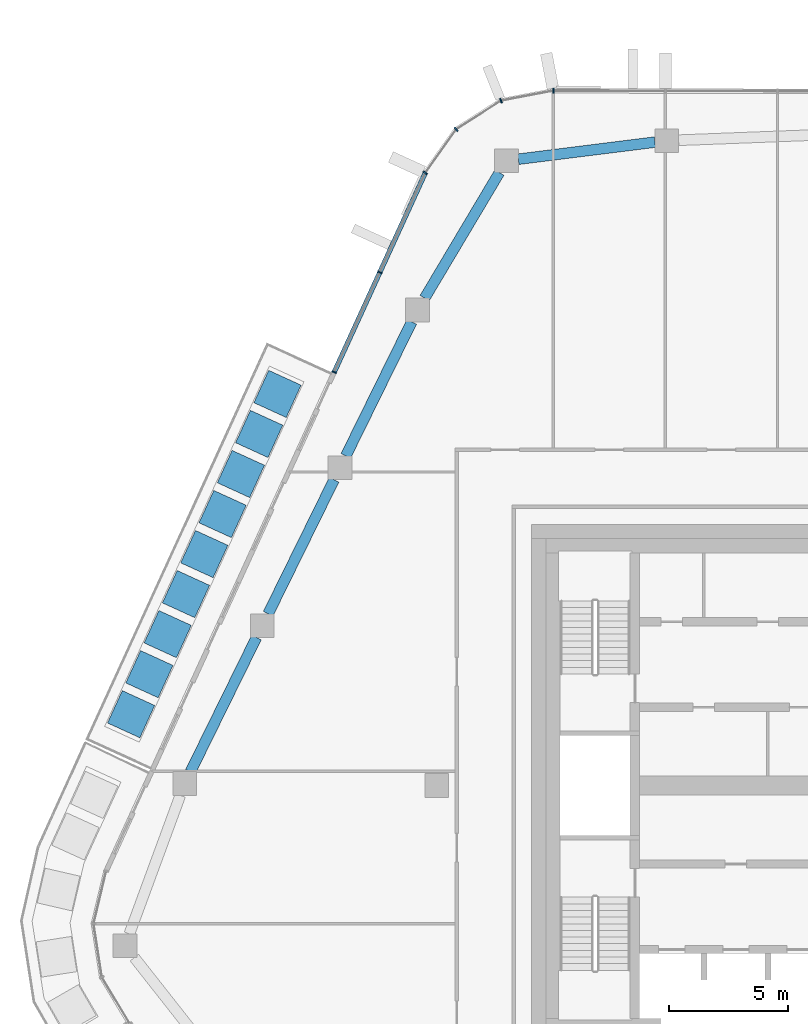
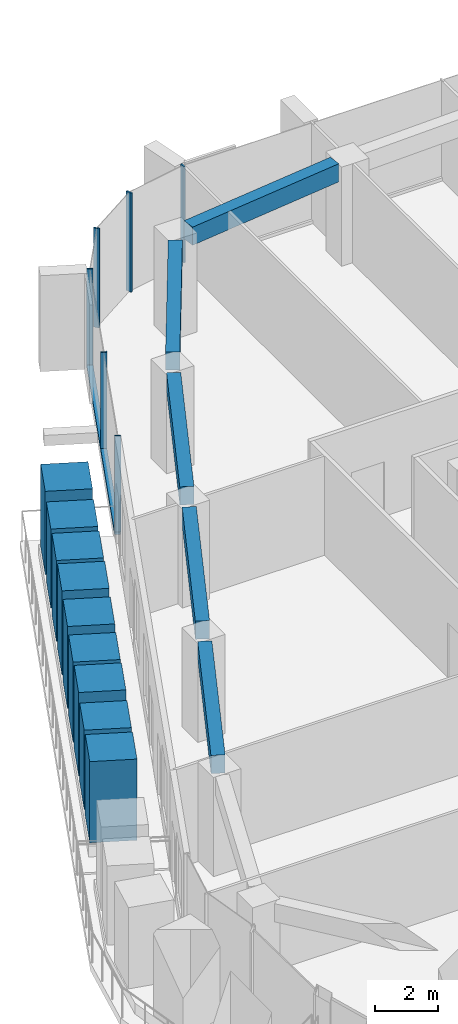
# One storey, part 6 of 23: 16 members, 5 beams, 3 elements without a shape of their own.
"""IFC4 building model written with IfcOpenShell, lengths in metres."""

from ifc_helpers import new_model, si_unit, direction, frame, origin, origin_2d, place, context, subcontext, project, spatial, rectangle, extrude, material, layer, layer_set, material_profile, profile_set, type_object, element, aggregate, save


model = new_model("IFC4")

# Units and contexts
model_context = context("Model", 3, precision=1e-05, world=origin(), true_north=direction((0.0, 1.0)))
body_context = subcontext(model_context, "Body", "Model", "MODEL_VIEW")
ifc_project = project(units=[si_unit("LENGTHUNIT", "METRE"), si_unit("AREAUNIT", "SQUARE_METRE"), si_unit("VOLUMEUNIT", "CUBIC_METRE"), si_unit("PLANEANGLEUNIT", "RADIAN"), si_unit("MASSUNIT", "GRAM", prefix="KILO")], contexts=[model_context])

# Site, building, storey
site_placement = place(None, origin())
site = spatial("IfcSite", under=ifc_project, at=site_placement, CompositionType="ELEMENT")
building_placement = place(site_placement, origin())
building = spatial("IfcBuilding", under=site, at=building_placement, Name="Dongbaek Canopy Tower", CompositionType="ELEMENT")
storey_placement = place(building_placement, frame((0.0, 0.0, 315.199951171875)))
storey = spatial("IfcBuildingStorey", under=building, at=storey_placement, Name="L67", CompositionType="ELEMENT", Elevation=315.199951171875)

# Curtain wall, member
ifc_material_1 = material(Name="Aluminium 6063-T6 pale anodised", Category="aluminium")
ifc_layer = layer(ifc_material_1, 0.199951171875)
ifc_layer_set = layer_set([ifc_layer], Name="CW-1 unitised tower curtain wall")
curtain_wall_type = type_object("IfcCurtainWallType", Name="CW-1 unitised tower curtain wall", PredefinedType="NOTDEFINED", material=ifc_layer_set)
curtain_wall_1_placement = place(storey_placement, origin())
curtain_wall_1 = element("IfcCurtainWall", 1, at=curtain_wall_1_placement, inside=storey, type_object=curtain_wall_type, Name="CW-1 curtain wall F1.1", PredefinedType="NOTDEFINED")
ifc_material_2 = material(Name="Aluminium 6063-T6 pale anodised", Category="aluminium")
ifc_material_profile_1 = material_profile(ifc_material_2, rectangle(XDim=0.199951171875, YDim=0.06005859375, at=origin_2d()), Name="CW-1 mullion 60 x 200")
ifc_profile_set_1 = profile_set([ifc_material_profile_1], Name="Aluminium 6063-T6 pale anodised")
member_type_1 = type_object("IfcMemberType", Name="CW-1 mullion 60 x 200", PredefinedType="MULLION", material=ifc_profile_set_1)
member_1_placement = place(storey_placement, frame((-13.08740234375, 29.26806640625, 0.1201171875), z_axis=(0.0, 0.0, 1.0), x_axis=(0.002180161438, 0.999997623445, 0.0)))
member_1 = element("IfcMember", 2, at=member_1_placement, type_object=member_type_1, Name="CW-1 mullion F1.1.6", PredefinedType="MULLION", context=body_context, shape_type="SweptSolid", body=[
    extrude(rectangle(XDim=0.199951171875, YDim=0.06005859375, at=origin_2d()), origin(), (0.0, 0.0, 1.0), 3.699951171875),
])
aggregate(curtain_wall_1, [member_1])

# Curtain wall, members
curtain_wall_2_placement = place(storey_placement, origin())
curtain_wall_2 = element("IfcCurtainWall", 3, at=curtain_wall_2_placement, inside=storey, type_object=curtain_wall_type, Name="CW-1 curtain wall K2.1", PredefinedType="NOTDEFINED")
member_2_placement = place(storey_placement, frame((-15.29345703125, 28.84716796875, 0.0), z_axis=(0.0, 0.0, 1.0), x_axis=(-0.370211315816, 0.928947566681, 0.0)))
member_2 = element("IfcMember", 4, at=member_2_placement, type_object=member_type_1, Name="CW-1 mullion K2.1.2", PredefinedType="MULLION", context=body_context, shape_type="SweptSolid", body=[
    extrude(rectangle(XDim=0.199951171875, YDim=0.06005859375, at=origin_2d()), origin(), (0.0, 0.0, 1.0), 3.820068359375),
])
member_3_placement = place(storey_placement, frame((-17.176025390625, 27.640625, 0.0), z_axis=(0.0, 0.0, 1.0), x_axis=(-0.689394718544, 0.724385893046, 0.0)))
member_3 = element("IfcMember", 5, at=member_3_placement, type_object=member_type_1, Name="CW-1 mullion K2.1.3", PredefinedType="MULLION", context=body_context, shape_type="SweptSolid", body=[
    extrude(rectangle(XDim=0.199951171875, YDim=0.06005859375, at=origin_2d()), origin(), (0.0, 0.0, 1.0), 3.820068359375),
])
member_4_placement = place(storey_placement, frame((-18.479736328125, 25.81201171875, 0.0), z_axis=(0.0, 0.0, 1.0), x_axis=(-0.814206693325, 0.580575111889, 0.0)))
member_4 = element("IfcMember", 6, at=member_4_placement, type_object=member_type_1, Name="CW-1 mullion K2.1.4", PredefinedType="MULLION", context=body_context, shape_type="SweptSolid", body=[
    extrude(rectangle(XDim=0.199951171875, YDim=0.06005859375, at=origin_2d()), origin(), (0.0, 0.0, 1.0), 3.820068359375),
])
aggregate(curtain_wall_2, [member_2, member_3, member_4])

curtain_wall_3_placement = place(storey_placement, origin())
curtain_wall_3 = element("IfcCurtainWall", 7, at=curtain_wall_3_placement, inside=storey, type_object=curtain_wall_type, Name="CW-1 curtain wall F2.1", PredefinedType="NOTDEFINED")
member_5_placement = place(storey_placement, frame((-20.397216796875, 21.617431640625, 0.1201171875), z_axis=(0.0, 0.0, 1.0), x_axis=(-0.909495883664, 0.415712926909, 0.0)))
member_5 = element("IfcMember", 8, at=member_5_placement, type_object=member_type_1, Name="CW-1 mullion F2.1.2", PredefinedType="MULLION", context=body_context, shape_type="SweptSolid", body=[
    extrude(rectangle(XDim=0.199951171875, YDim=0.06005859375, at=origin_2d()), origin(), (0.0, 0.0, 1.0), 3.699951171875),
])
member_6_placement = place(storey_placement, frame((-22.318359375, 17.4140625, 0.1201171875), z_axis=(0.0, 0.0, 1.0), x_axis=(-0.909495883664, 0.415712926909, 0.0)))
member_6 = element("IfcMember", 9, at=member_6_placement, type_object=member_type_1, Name="CW-1 mullion F2.1.3", PredefinedType="MULLION", context=body_context, shape_type="SweptSolid", body=[
    extrude(rectangle(XDim=0.199951171875, YDim=0.06005859375, at=origin_2d()), origin(), (0.0, 0.0, 1.0), 3.699951171875),
])
ifc_material_3 = material(Name="Aluminium 6063-T6 pale anodised", Category="aluminium")
ifc_material_profile_2 = material_profile(ifc_material_3, rectangle(XDim=0.199951171875, YDim=0.1201171875, at=origin_2d()), Name="CW-1 transom 120 x 200")
ifc_profile_set_2 = profile_set([ifc_material_profile_2], Name="Aluminium 6063-T6 pale anodised")
member_type_2 = type_object("IfcMemberType", Name="CW-1 transom 120 x 200", PredefinedType="USERDEFINED", material=ifc_profile_set_2)
member_7_placement = place(storey_placement, frame((-18.479736328125, 25.81201171875, 0.06005859375), z_axis=(-0.415720394045, -0.909492470543, 0.0), x_axis=(0.909492470543, -0.415720394045, 0.0)))
member_7 = element("IfcMember", 10, at=member_7_placement, type_object=member_type_2, Name="CW-1 transom F2.1.1", ObjectType="TRANSOM", PredefinedType="USERDEFINED", context=body_context, shape_type="SweptSolid", body=[
    extrude(rectangle(XDim=0.199951171875, YDim=0.1201171875, at=origin_2d()), origin(), (0.0, 0.0, 1.0), 9.233642578125),
])
aggregate(curtain_wall_3, [member_5, member_6, member_7])

# Beams
ifc_material_4 = material(Name="Concrete C60", Category="concrete")
ifc_material_profile_3 = material_profile(ifc_material_4, rectangle(XDim=0.449951171875, YDim=0.699951171875, at=origin_2d()), Name="RC EDGE BEAM 450x700 C60")
ifc_profile_set_3 = profile_set([ifc_material_profile_3], Name="Concrete C60")
beam_type = type_object("IfcBeamType", Name="RC EDGE BEAM 450x700 C60", PredefinedType="BEAM", material=ifc_profile_set_3)
for number, where, z_axis, x_axis, name in (
    (11, (-28.37109375, 0.5859375, 3.469970703125), (0.441293546446, 0.897362806152, 0.0), (-0.897362806152, 0.441293546446, 0.0), "EDGEBEAM:L67:09"),
    (12, (-25.10107421875, 7.235107421875, 3.469970703125), (0.441433810223, 0.897293815421, 0.0), (-0.897293815421, 0.441433810223, 0.0), "EDGEBEAM:L67:10"),
):
    element("IfcBeam", number, at=place(storey_placement, frame(where, z_axis=z_axis, x_axis=x_axis)), inside=storey, type_object=beam_type, Name=name, PredefinedType="BEAM", context=body_context, shape_type="SweptSolid", body=[
        extrude(rectangle(XDim=0.449951171875, YDim=0.699951171875, at=origin_2d()), origin(), (0.0, 0.0, 1.0), 6.29541015625),
    ])
beam_1_placement = place(storey_placement, frame((-21.830078125, 13.884033203125, 3.469970703125), z_axis=(0.441370345445, 0.897325034846, 0.0), x_axis=(-0.897325034846, 0.441370345445, 0.0)))
element("IfcBeam", 13, at=beam_1_placement, inside=storey, type_object=beam_type, Name="EDGEBEAM:L67:11", PredefinedType="BEAM", context=body_context, shape_type="SweptSolid", body=[
    extrude(rectangle(XDim=0.449951171875, YDim=0.699951171875, at=origin_2d()), origin(), (0.0, 0.0, 1.0), 6.294189453125),
])
beam_2_placement = place(storey_placement, frame((-18.50830078125, 20.531982421875, 3.469970703125), z_axis=(0.511535459107, 0.859262168419, 0.0), x_axis=(-0.859262168419, 0.511535459107, 0.0)))
element("IfcBeam", 14, at=beam_2_placement, inside=storey, type_object=beam_type, Name="EDGEBEAM:L67:12", PredefinedType="BEAM", context=body_context, shape_type="SweptSolid", body=[
    extrude(rectangle(XDim=0.449951171875, YDim=0.699951171875, at=origin_2d()), origin(), (0.0, 0.0, 1.0), 6.1552734375),
])
beam_3_placement = place(storey_placement, frame((-14.56201171875, 26.38330078125, 3.469970703125), z_axis=(0.992296006086, 0.123889613389, 0.0), x_axis=(-0.123889613389, 0.992296006086, 0.0)))
element("IfcBeam", 15, at=beam_3_placement, inside=storey, type_object=beam_type, Name="EDGEBEAM:L67:13", PredefinedType="BEAM", context=body_context, shape_type="SweptSolid", body=[
    extrude(rectangle(XDim=0.449951171875, YDim=0.699951171875, at=origin_2d()), origin(), (0.0, 0.0, 1.0), 5.797607421875),
])

# Members
ifc_material_5 = material(Name="Concrete C40/50 planter mass with planting", Category="concrete")
ifc_material_profile_4 = material_profile(ifc_material_5, rectangle(XDim=1.5, YDim=1.5, at=origin_2d()), Name="Terrace PLANTER shrub mass 1500 x 1500")
ifc_profile_set_4 = profile_set([ifc_material_profile_4], Name="Concrete C40/50 planter mass with planting")
member_type_3 = type_object("IfcMemberType", Name="Terrace PLANTER shrub mass 1500 x 1500", PredefinedType="USERDEFINED", material=ifc_profile_set_4)
member_8_placement = place(storey_placement, frame((-24.705810546875, 16.49658203125, 0.420166015625), z_axis=(0.0, 0.0, 1.0), x_axis=(-0.909495883664, 0.415712926909, 0.0)))
element("IfcMember", 16, at=member_8_placement, inside=storey, type_object=member_type_3, Name="Planter shrubs L67 2.1", ObjectType="PLANTER", PredefinedType="USERDEFINED", context=body_context, shape_type="SweptSolid", body=[
    extrude(rectangle(XDim=1.5, YDim=1.5, at=origin_2d()), origin(), (0.0, 0.0, 1.0), 3.2099609375),
])
member_9_placement = place(storey_placement, frame((-25.4765625, 14.810302734375, 0.420166015625), z_axis=(0.0, 0.0, 1.0), x_axis=(-0.909495883664, 0.415712926909, 0.0)))
element("IfcMember", 17, at=member_9_placement, inside=storey, type_object=member_type_3, Name="Planter shrubs L67 2.2", ObjectType="PLANTER", PredefinedType="USERDEFINED", context=body_context, shape_type="SweptSolid", body=[
    extrude(rectangle(XDim=1.5, YDim=1.5, at=origin_2d()), origin(), (0.0, 0.0, 1.0), 3.0498046875),
])
member_10_placement = place(storey_placement, frame((-26.247314453125, 13.1240234375, 0.420166015625), z_axis=(0.0, 0.0, 1.0), x_axis=(-0.909495883664, 0.415712926909, 0.0)))
element("IfcMember", 18, at=member_10_placement, inside=storey, type_object=member_type_3, Name="Planter shrubs L67 2.3", ObjectType="PLANTER", PredefinedType="USERDEFINED", context=body_context, shape_type="SweptSolid", body=[
    extrude(rectangle(XDim=1.5, YDim=1.5, at=origin_2d()), origin(), (0.0, 0.0, 1.0), 3.1298828125),
])
member_11_placement = place(storey_placement, frame((-27.01806640625, 11.437744140625, 0.420166015625), z_axis=(0.0, 0.0, 1.0), x_axis=(-0.909495883664, 0.415712926909, 0.0)))
element("IfcMember", 19, at=member_11_placement, inside=storey, type_object=member_type_3, Name="Planter shrubs L67 2.4", ObjectType="PLANTER", PredefinedType="USERDEFINED", context=body_context, shape_type="SweptSolid", body=[
    extrude(rectangle(XDim=1.5, YDim=1.5, at=origin_2d()), origin(), (0.0, 0.0, 1.0), 3.25),
])
member_12_placement = place(storey_placement, frame((-27.788818359375, 9.75146484375, 0.420166015625), z_axis=(0.0, 0.0, 1.0), x_axis=(-0.909495883664, 0.415712926909, 0.0)))
element("IfcMember", 20, at=member_12_placement, inside=storey, type_object=member_type_3, Name="Planter shrubs L67 2.5", ObjectType="PLANTER", PredefinedType="USERDEFINED", context=body_context, shape_type="SweptSolid", body=[
    extrude(rectangle(XDim=1.5, YDim=1.5, at=origin_2d()), origin(), (0.0, 0.0, 1.0), 3.169921875),
])
member_13_placement = place(storey_placement, frame((-28.5595703125, 8.065185546875, 0.420166015625), z_axis=(0.0, 0.0, 1.0), x_axis=(-0.909495883664, 0.415712926909, 0.0)))
element("IfcMember", 21, at=member_13_placement, inside=storey, type_object=member_type_3, Name="Planter shrubs L67 2.6", ObjectType="PLANTER", PredefinedType="USERDEFINED", context=body_context, shape_type="SweptSolid", body=[
    extrude(rectangle(XDim=1.5, YDim=1.5, at=origin_2d()), origin(), (0.0, 0.0, 1.0), 3.08984375),
])
member_14_placement = place(storey_placement, frame((-29.330322265625, 6.37890625, 0.420166015625), z_axis=(0.0, 0.0, 1.0), x_axis=(-0.909495883664, 0.415712926909, 0.0)))
element("IfcMember", 22, at=member_14_placement, inside=storey, type_object=member_type_3, Name="Planter shrubs L67 2.7", ObjectType="PLANTER", PredefinedType="USERDEFINED", context=body_context, shape_type="SweptSolid", body=[
    extrude(rectangle(XDim=1.5, YDim=1.5, at=origin_2d()), origin(), (0.0, 0.0, 1.0), 3.2099609375),
])
member_15_placement = place(storey_placement, frame((-30.101318359375, 4.69287109375, 0.420166015625), z_axis=(0.0, 0.0, 1.0), x_axis=(-0.909495883664, 0.415712926909, 0.0)))
element("IfcMember", 23, at=member_15_placement, inside=storey, type_object=member_type_3, Name="Planter shrubs L67 2.8", ObjectType="PLANTER", PredefinedType="USERDEFINED", context=body_context, shape_type="SweptSolid", body=[
    extrude(rectangle(XDim=1.5, YDim=1.5, at=origin_2d()), origin(), (0.0, 0.0, 1.0), 3.0498046875),
])
member_16_placement = place(storey_placement, frame((-30.8720703125, 3.006591796875, 0.420166015625), z_axis=(0.0, 0.0, 1.0), x_axis=(-0.909495883664, 0.415712926909, 0.0)))
element("IfcMember", 24, at=member_16_placement, inside=storey, type_object=member_type_3, Name="Planter shrubs L67 2.9", ObjectType="PLANTER", PredefinedType="USERDEFINED", context=body_context, shape_type="SweptSolid", body=[
    extrude(rectangle(XDim=1.5, YDim=1.5, at=origin_2d()), origin(), (0.0, 0.0, 1.0), 3.1298828125),
])

save(model, "model.ifc")
